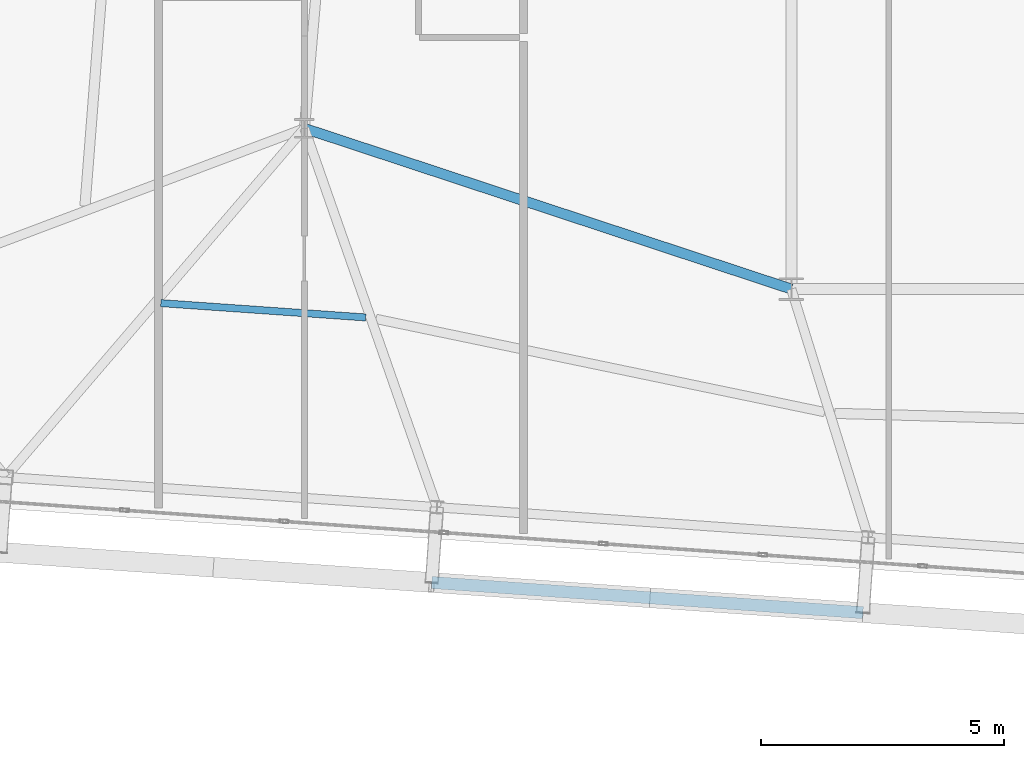
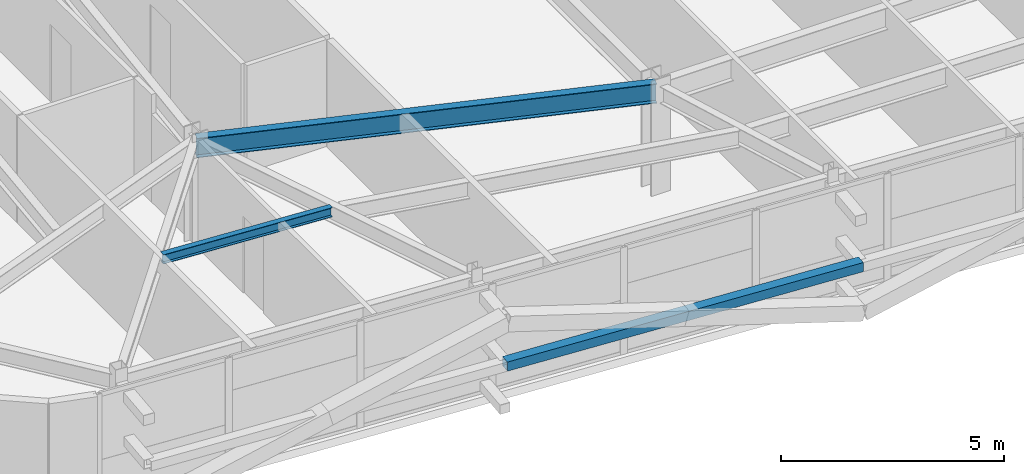
# One storey, part 10 of 47: 2 beams, 1 member.
"""IFC4 building model written with IfcOpenShell, lengths in metres."""

from ifc_helpers import new_model, si_unit, direction, frame, origin, origin_2d, place, context, subcontext, project, spatial, hollow_rectangle, i_section, extrude, source, transform, mapped, material, material_profile, profile_set, type_object, element, save


model = new_model("IFC4")

# Units and contexts
model_context = context("Model", 3, precision=1e-05, world=origin(), true_north=direction((0.0, 1.0)))
body_context = subcontext(model_context, "Body", "Model", "MODEL_VIEW")
ifc_project = project(units=[si_unit("LENGTHUNIT", "METRE"), si_unit("AREAUNIT", "SQUARE_METRE"), si_unit("VOLUMEUNIT", "CUBIC_METRE"), si_unit("PLANEANGLEUNIT", "RADIAN"), si_unit("MASSUNIT", "GRAM", prefix="KILO")], contexts=[model_context])

# Site, building, storey
site_placement = place(None, origin())
site = spatial("IfcSite", under=ifc_project, at=site_placement, CompositionType="ELEMENT")
building_placement = place(site_placement, origin())
building = spatial("IfcBuilding", under=site, at=building_placement, Name="Taldren Reach Tower", CompositionType="ELEMENT")
storey_placement = place(building_placement, frame((0.0, 0.0, 139.300048828125)))
storey = spatial("IfcBuildingStorey", under=building, at=storey_placement, Name="L42", CompositionType="ELEMENT", Elevation=139.300048828125)

# Beams
ifc_material_1 = material(Name="Steel Gr 350 (350PLUS)", Category="steel")
ifc_material_profile_1 = material_profile(ifc_material_1, i_section(OverallWidth=0.208984375, OverallDepth=0.532958984375, WebThickness=0.01025390625, FlangeThickness=0.015625, at=origin_2d()), Name="530UB92.4")
ifc_profile_set_1 = profile_set([ifc_material_profile_1], Name="Steel Gr 350 (350PLUS)")
beam_type_1 = type_object("IfcBeamType", Name="BM-UB530A", PredefinedType="BEAM", material=ifc_profile_set_1)
shared_shape_1 = source(origin(), body_context, "Body", "SweptSolid", [
    extrude(i_section(OverallWidth=0.208984375, OverallDepth=0.532958984375, WebThickness=0.01025390625, FlangeThickness=0.015625, at=origin_2d()), origin(), (0.0, 0.0, 1.0), 10.530517578125),
])
beam_1_placement = place(storey_placement, frame((18.0, 12.5, 2.663330078125), z_axis=(0.949627269203, -0.313381635689, 0.0), x_axis=(0.313381635689, 0.949627269203, 0.0)))
element("IfcBeam", 1, at=beam_1_placement, inside=storey, type_object=beam_type_1, Name="Core-spine girder L42-SP10", PredefinedType="BEAM", context=body_context, shape_type="MappedRepresentation", body=[
    mapped(shared_shape_1, transform((0.0, 0.0, 0.0), scale=1.0)),
])
ifc_material_2 = material(Name="Steel Gr 300 (300PLUS, 300 MPa)", Category="steel")
ifc_material_profile_2 = material_profile(ifc_material_2, i_section(OverallWidth=0.14599609375, OverallDepth=0.256103515625, WebThickness=0.00634765625, FlangeThickness=0.010986328125, at=origin_2d()), Name="250UB37.3")
ifc_profile_set_2 = profile_set([ifc_material_profile_2], Name="Steel Gr 300 (300PLUS, 300 MPa)")
beam_type_2 = type_object("IfcBeamType", Name="JS-UB250", PredefinedType="JOIST", material=ifc_profile_set_2)
shared_shape_2 = source(origin(), body_context, "Body", "SweptSolid", [
    extrude(i_section(OverallWidth=0.14599609375, OverallDepth=0.256103515625, WebThickness=0.00634765625, FlangeThickness=0.010986328125, at=origin_2d()), origin(), (0.0, 0.0, 1.0), 4.217041015625),
])
beam_2_placement = place(storey_placement, frame((15.050537109375, 8.910888671875, 2.802001953125), z_axis=(0.997563683226, -0.069761722378, 0.0), x_axis=(0.069761722378, 0.997563683226, 0.0)))
element("IfcBeam", 2, at=beam_2_placement, inside=storey, type_object=beam_type_2, Name="Secondary floor joist B3 J1 L42", PredefinedType="JOIST", context=body_context, shape_type="MappedRepresentation", body=[
    mapped(shared_shape_2, transform((0.0, 0.0, 0.0), scale=1.0)),
])

# Member
ifc_material_3 = material(Name="Steel Gr 350 (C350L0)", Category="steel")
ifc_material_profile_3 = material_profile(ifc_material_3, hollow_rectangle(XDim=0.25, YDim=0.25, WallThickness=0.010009765625, at=origin_2d()), Name="250x250x10.0SHS")
ifc_profile_set_3 = profile_set([ifc_material_profile_3], Name="Steel Gr 350 (C350L0)")
member_type = type_object("IfcMemberType", Name="MB-POST250", PredefinedType="POST", material=ifc_profile_set_3)
shared_shape_3 = source(origin(), body_context, "Body", "SweptSolid", [
    extrude(hollow_rectangle(XDim=0.25, YDim=0.25, WallThickness=0.010009765625, at=origin_2d()), origin(), (0.0, 0.0, 1.0), 8.880126953125),
])
member_placement = place(storey_placement, frame((20.61376953125, 3.1728515625, 1.43505859375), z_axis=(0.997562566276, -0.06977769246, 0.0), x_axis=(0.06977769246, 0.997562566276, 0.0)))
element("IfcMember", 3, at=member_placement, inside=storey, type_object=member_type, Name="Exoskeleton mid-height ring chord B3-S2 L42", PredefinedType="POST", context=body_context, shape_type="MappedRepresentation", body=[
    mapped(shared_shape_3, transform((0.0, 0.0, 0.0), scale=1.0)),
])

save(model, "model.ifc")
